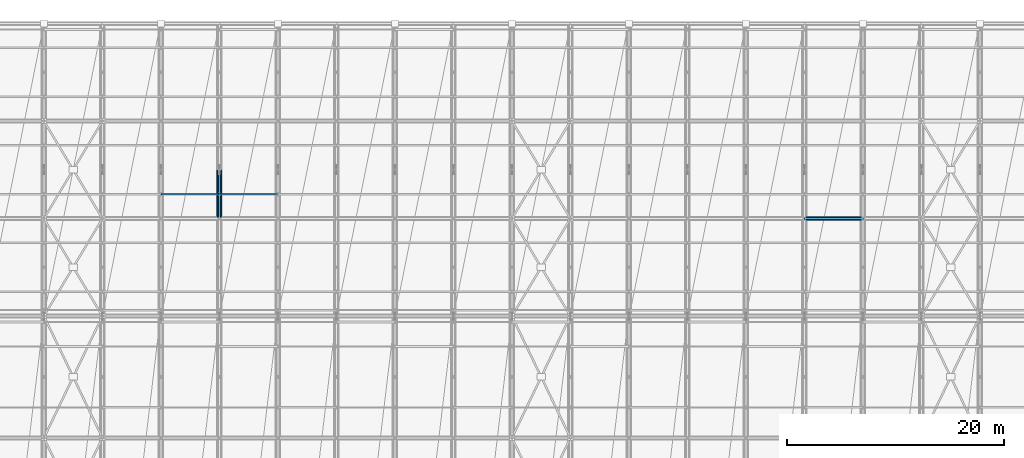
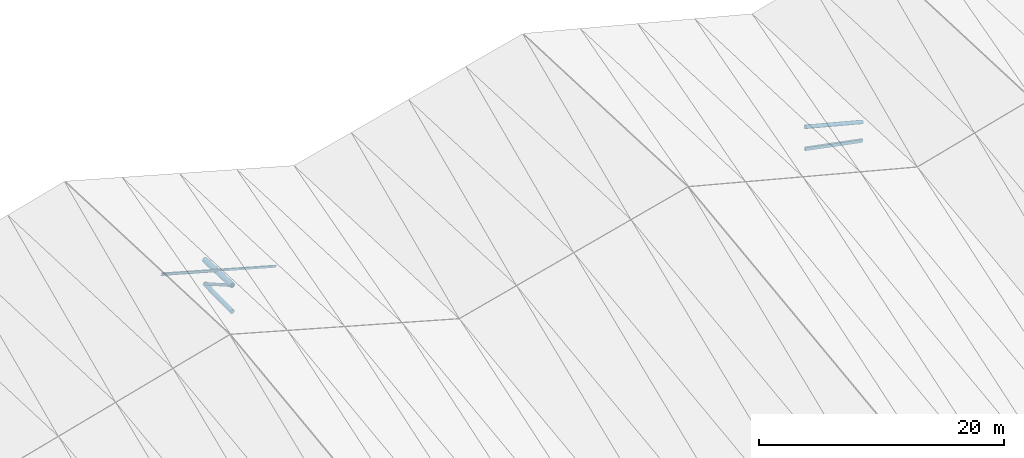
# One storey, part 25 of 109: 5 members, 2 beams.
"""IFC4 building model written with IfcOpenShell, lengths in metres."""

from ifc_helpers import new_model, si_unit, direction, frame, origin, origin_2d, place, context, subcontext, project, spatial, hollow_rectangle, hollow_circle, i_section, extrude, material, material_profile, profile_set, type_object, element, save


model = new_model("IFC4")

# Units and contexts
model_context = context("Model", 3, precision=1e-05, world=origin(), true_north=direction((0.0, 1.0)))
body_context = subcontext(model_context, "Body", "Model", "MODEL_VIEW")
ifc_project = project(units=[si_unit("LENGTHUNIT", "METRE"), si_unit("AREAUNIT", "SQUARE_METRE"), si_unit("VOLUMEUNIT", "CUBIC_METRE"), si_unit("PLANEANGLEUNIT", "RADIAN"), si_unit("MASSUNIT", "GRAM", prefix="KILO")], contexts=[model_context])

# Site, building, storey
site_placement = place(None, origin())
site = spatial("IfcSite", under=ifc_project, at=site_placement, CompositionType="ELEMENT")
building_placement = place(site_placement, origin())
building = spatial("IfcBuilding", under=site, at=building_placement, Name="Suirenkawa Promenade Aquatics Centre", CompositionType="ELEMENT")
storey_placement = place(building_placement, frame((0.0, 0.0, 22.800048828125)))
storey = spatial("IfcBuildingStorey", under=building, at=storey_placement, Name="ROOF", CompositionType="ELEMENT", Elevation=22.800048828125)

# Beams
ifc_material = material(Name="Steel IS 2062 E350 (Grade 350)", Category="steel")
ifc_material_profile_1 = material_profile(ifc_material, hollow_circle(Radius=0.202880859375, WallThickness=0.01806640625, at=origin_2d()), Name="CHS 406x18", Category="steel")
ifc_profile_set_1 = profile_set([ifc_material_profile_1], Name="Steel IS 2062 E350 (Grade 350)")
beam_type_1 = type_object("IfcBeamType", Name="BT-BC-CHS406", PredefinedType="BEAM", material=ifc_profile_set_1)
beam_1_placement = place(storey_placement, frame((73.800048828125, 104.39990234375, -7.693115234375), z_axis=(0.0, 0.999902050848, 0.0139960248), x_axis=(-1.0, 0.0, 0.0)))
element("IfcBeam", 1, at=beam_1_placement, inside=storey, type_object=beam_type_1, Name="ROOF TRUSS V1 bottom chord BC-01 BM-1968", PredefinedType="BEAM", context=body_context, shape_type="SweptSolid", body=[
    extrude(hollow_circle(Radius=0.202880859375, WallThickness=0.01806640625, at=origin_2d()), origin(), (0.0, 0.0, 1.0), 4.50048828125),
])
ifc_material_profile_2 = material_profile(ifc_material, hollow_circle(Radius=0.25390625, WallThickness=0.02392578125, at=origin_2d()), Name="CHS 508x24", Category="steel")
ifc_profile_set_2 = profile_set([ifc_material_profile_2], Name="Steel IS 2062 E350 (Grade 350)")
beam_type_2 = type_object("IfcBeamType", Name="BT-TC-CHS508", PredefinedType="BEAM", material=ifc_profile_set_2)
beam_2_placement = place(storey_placement, frame((73.800048828125, 104.39990234375, -5.067138671875), z_axis=(0.0, 0.999175384927, -0.040602341759), x_axis=(-1.0, 0.0, 0.0)))
element("IfcBeam", 2, at=beam_2_placement, inside=storey, type_object=beam_type_2, Name="ROOF TRUSS V1 top chord TC-02 BM-1967", PredefinedType="BEAM", context=body_context, shape_type="SweptSolid", body=[
    extrude(hollow_circle(Radius=0.25390625, WallThickness=0.02392578125, at=origin_2d()), origin(), (0.0, 0.0, 1.0), 4.503662109375),
])

# Members
ifc_material_profile_3 = material_profile(ifc_material, hollow_circle(Radius=0.177978515625, WallThickness=0.01611328125, at=origin_2d()), Name="CHS 356x16", Category="steel")
ifc_profile_set_3 = profile_set([ifc_material_profile_3], Name="Steel IS 2062 E350 (Grade 350)")
member_type_1 = type_object("IfcMemberType", Name="MT-CHORD-CHS356", PredefinedType="CHORD", material=ifc_profile_set_3)
member_1_placement = place(storey_placement, frame((127.800048828125, 104.39990234375, -8.1669921875), z_axis=(0.967989416096, 0.0, -0.250991016426), x_axis=(0.0, 1.0, 0.0)))
element("IfcMember", 3, at=member_1_placement, inside=storey, type_object=member_type_1, Name="ROOF TRUSS V1 tie chord CH-02 MB-0878", PredefinedType="CHORD", context=body_context, shape_type="SweptSolid", body=[
    extrude(hollow_circle(Radius=0.177978515625, WallThickness=0.01611328125, at=origin_2d()), origin(), (0.0, 0.0, 1.0), 5.578369140625),
])
ifc_material_profile_4 = material_profile(ifc_material, hollow_rectangle(XDim=0.199951171875, YDim=0.300048828125, WallThickness=0.011962890625, at=origin_2d()), Name="RHS 300x200x12", Category="steel")
ifc_profile_set_4 = profile_set([ifc_material_profile_4], Name="Steel IS 2062 E350 (Grade 350)")
member_type_2 = type_object("IfcMemberType", Name="MT-CHORD-RHS300", PredefinedType="CHORD", material=ifc_profile_set_4)
member_2_placement = place(storey_placement, frame((127.800048828125, 104.39990234375, -10.358154296875), z_axis=(0.981513167483, 0.0, -0.191394623897), x_axis=(0.0, 1.0, 0.0)))
element("IfcMember", 4, at=member_2_placement, inside=storey, type_object=member_type_2, Name="ROOF TRUSS V1 bottom tie CH-03 MB-0879", PredefinedType="CHORD", context=body_context, shape_type="SweptSolid", body=[
    extrude(hollow_rectangle(XDim=0.199951171875, YDim=0.300048828125, WallThickness=0.011962890625, at=origin_2d()), origin(), (0.0, 0.0, 1.0), 5.501708984375),
])
ifc_material_profile_5 = material_profile(ifc_material, i_section(OverallWidth=0.125, OverallDepth=0.25, WebThickness=0.007080078125, FlangeThickness=0.012939453125, at=origin_2d()), Name="ISMB 250", Category="steel")
ifc_profile_set_5 = profile_set([ifc_material_profile_5], Name="Steel IS 2062 E350 (Grade 350)")
member_type_3 = type_object("IfcMemberType", Name="MT-PURLIN-ISMB250", PredefinedType="PURLIN", material=ifc_profile_set_5)
member_3_placement = place(storey_placement, frame((68.39990234375, 106.64990234375, -3.429931640625), z_axis=(0.963519781844, 0.0, -0.267637123724), x_axis=(0.0, 1.0, 0.0)))
element("IfcMember", 5, at=member_3_placement, inside=storey, type_object=member_type_3, Name="ROOF TRUSS Roof purlin PU-04 MB-1857", PredefinedType="PURLIN", context=body_context, shape_type="SweptSolid", body=[
    extrude(i_section(OverallWidth=0.125, OverallDepth=0.25, WebThickness=0.007080078125, FlangeThickness=0.012939453125, at=origin_2d()), origin(), (0.0, 0.0, 1.0), 5.6044921875),
])
ifc_material_profile_6 = material_profile(ifc_material, hollow_rectangle(XDim=0.1201171875, YDim=0.199951171875, WallThickness=0.008056640625, at=origin_2d()), Name="RHS 200x120x8", Category="steel")
ifc_profile_set_6 = profile_set([ifc_material_profile_6], Name="Steel IS 2062 E350 (Grade 350)")
member_type_4 = type_object("IfcMemberType", Name="MT-PURLIN-RHS200", PredefinedType="PURLIN", material=ifc_profile_set_6)
member_4_placement = place(storey_placement, frame((73.800048828125, 106.64990234375, -4.905029296875), z_axis=(0.963516661409, 0.0, -0.267648357342), x_axis=(0.0, 1.0, 0.0)))
element("IfcMember", 6, at=member_4_placement, inside=storey, type_object=member_type_4, Name="ROOF TRUSS Roof purlin PU-02 MB-1893", PredefinedType="PURLIN", context=body_context, shape_type="SweptSolid", body=[
    extrude(hollow_rectangle(XDim=0.1201171875, YDim=0.199951171875, WallThickness=0.008056640625, at=origin_2d()), origin(), (0.0, 0.0, 1.0), 5.604248046875),
])
ifc_material_profile_7 = material_profile(ifc_material, hollow_circle(Radius=0.136962890625, WallThickness=0.011962890625, at=origin_2d()), Name="CHS 274x12", Category="steel")
ifc_profile_set_7 = profile_set([ifc_material_profile_7], Name="Steel IS 2062 E350 (Grade 350)")
member_type_5 = type_object("IfcMemberType", Name="MT-WEB-CHS274", PredefinedType="BRACE", material=ifc_profile_set_7)
member_5_placement = place(storey_placement, frame((73.800048828125, 104.39990234375, -5.067138671875), z_axis=(0.0, 0.868944344581, -0.494909816049), x_axis=(-1.0, 0.0, 0.0)))
element("IfcMember", 7, at=member_5_placement, inside=storey, type_object=member_type_5, Name="ROOF TRUSS V1 web diagonal TD-02 MB-0146", PredefinedType="BRACE", context=body_context, shape_type="SweptSolid", body=[
    extrude(hollow_circle(Radius=0.136962890625, WallThickness=0.011962890625, at=origin_2d()), origin(), (0.0, 0.0, 1.0), 5.1787109375),
])

save(model, "model.ifc")
